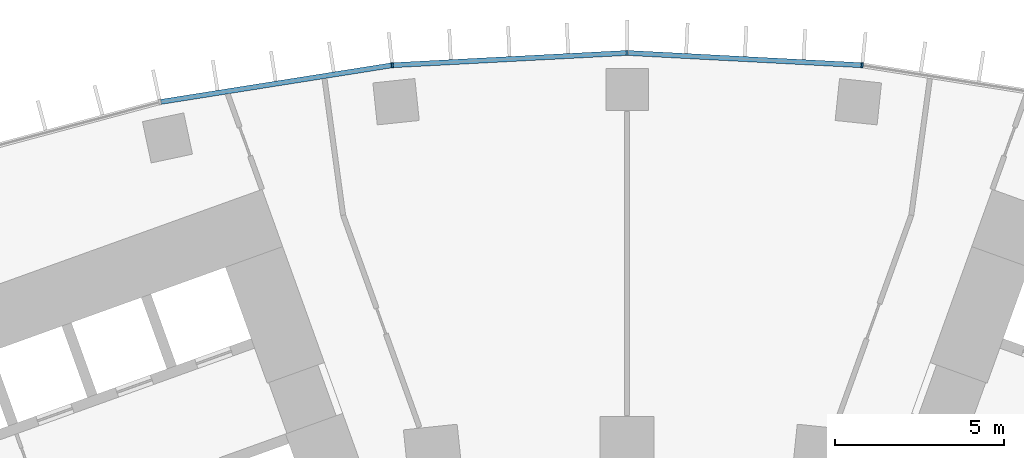
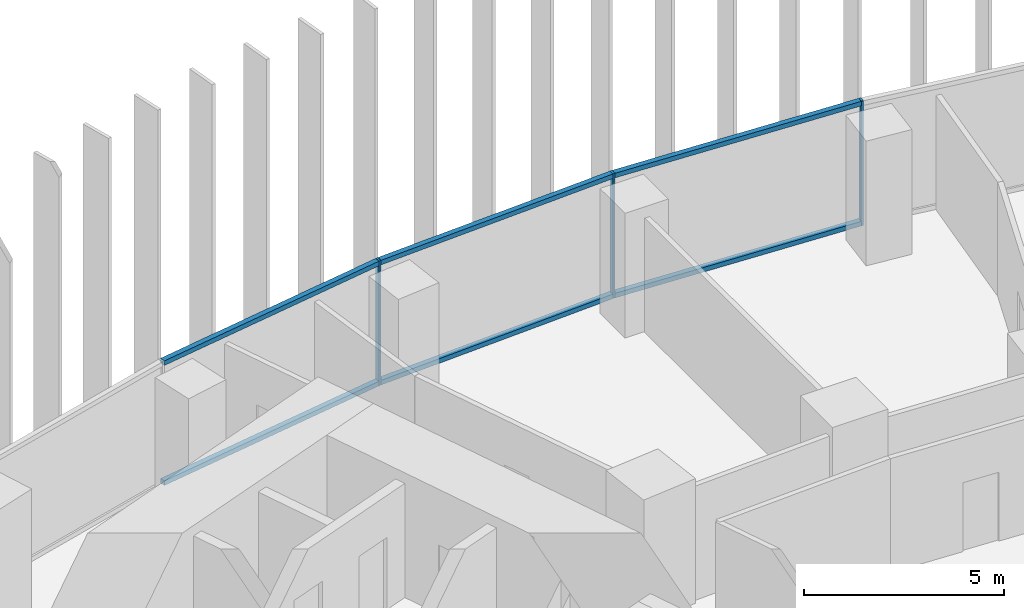
# One storey, part 8 of 25: 9 members, 1 element without a shape of its own.
"""IFC4 building model written with IfcOpenShell, lengths in metres."""

import ifcopenshell
import ifcopenshell.guid

model = None  # the IFC model being written
_history = None  # IfcOwnerHistory: only IFC2X3 demands one
_inside = {}  # id of a spatial element -> (the spatial element, [elements in it])
_under = {}  # id of a project, library or spatial element -> (it, [spatial elements below it])
_declared = {}  # id of a project -> (the project, [libraries it declares])
_typed = {}  # id of a type object -> (the type object, [elements of that type])
_made_of = {}  # id of a material, layer set ... -> (it, [elements and type objects made of it])


def new_model(schema):
    """Start an empty IFC model of exactly this schema.

    Asked for "IFC4X3", IfcOpenShell would pick the latest addendum, in which some entities
    have other attributes; the version numbers below select the first issue.
    IFC2X3 requires an IfcOwnerHistory on every rooted entity: one is made here for all.
    """
    global model, _history
    if schema == "IFC4X3":
        model = ifcopenshell.file(schema_version=(4, 3, 0, 0))
    else:
        model = ifcopenshell.file(schema=schema)
    _inside.clear()
    _under.clear()
    _declared.clear()
    _typed.clear()
    _made_of.clear()
    _history = None
    if model.schema == "IFC2X3":
        org = make("IfcOrganization", Name="unknown")
        user = make(
            "IfcPersonAndOrganization",
            ThePerson=make("IfcPerson", FamilyName="unknown"),
            TheOrganization=org,
        )
        app = make(
            "IfcApplication",
            ApplicationDeveloper=org,
            Version="unknown",
            ApplicationFullName="unknown",
            ApplicationIdentifier="unknown",
        )
        _history = make(
            "IfcOwnerHistory",
            OwningUser=user,
            OwningApplication=app,
            ChangeAction="ADDED",
            CreationDate=0,
        )
    return model


def make(cls, **values):
    """One entity of the class cls with the attributes given. An attribute that is None is left unset."""
    return model.create_entity(
        cls, **{name: value for name, value in values.items() if value is not None}
    )


def rooted(cls, **values):
    """An entity with a GlobalId (a new one), such as an element, a storey or a relation."""
    return make(cls, GlobalId=ifcopenshell.guid.new(), OwnerHistory=_history, **values)


def si_unit(unit_type, name, prefix=None):
    """IfcSIUnit, for example si_unit("LENGTHUNIT", "METRE", prefix="MILLI")."""
    return make("IfcSIUnit", UnitType=unit_type, Prefix=prefix, Name=name)


def assignment(units):
    """IfcUnitAssignment: the units of a project."""
    return None if units is None else make("IfcUnitAssignment", Units=units)


def point(xyz):
    """IfcCartesianPoint."""
    return None if xyz is None else make("IfcCartesianPoint", Coordinates=xyz)


def direction(xyz):
    """IfcDirection."""
    return None if xyz is None else make("IfcDirection", DirectionRatios=xyz)


def frame(location, z_axis=None, x_axis=None):
    """IfcAxis2Placement3D, a coordinate frame: its origin and axes. An axis left out is left unset."""
    return make(
        "IfcAxis2Placement3D",
        Location=point(location),
        Axis=direction(z_axis),
        RefDirection=direction(x_axis),
    )


def frame_2d(location, x_axis=None):
    """IfcAxis2Placement2D, a coordinate frame in the plane: its origin and x axis."""
    return make(
        "IfcAxis2Placement2D", Location=point(location), RefDirection=direction(x_axis)
    )


def origin():
    """The frame at (0, 0, 0) with its axes left unset."""
    return frame((0.0, 0.0, 0.0))


def origin_2d():
    """The frame at (0, 0) in the plane with its x axis left unset."""
    return frame_2d((0.0, 0.0))


def place(relative_to, where):
    """IfcLocalPlacement: puts the frame where relative to a parent placement (None: the world)."""
    return make(
        "IfcLocalPlacement", PlacementRelTo=relative_to, RelativePlacement=where
    )


def context(
    kind, dimensions, precision=None, world=None, true_north=None, identifier=None
):
    """IfcGeometricRepresentationContext, for example the 3D "Model" context."""
    return make(
        "IfcGeometricRepresentationContext",
        ContextIdentifier=identifier,
        ContextType=kind,
        CoordinateSpaceDimension=dimensions,
        Precision=precision,
        WorldCoordinateSystem=world,
        TrueNorth=true_north,
    )


def subcontext(parent, identifier, kind, view, scale=None):
    """IfcGeometricRepresentationSubContext, for example "Body" below "Model"."""
    return make(
        "IfcGeometricRepresentationSubContext",
        ContextIdentifier=identifier,
        ContextType=kind,
        ParentContext=parent,
        TargetScale=scale,
        TargetView=view,
    )


def project(units=None, contexts=None):
    """IfcProject with its units and contexts."""
    return rooted(
        "IfcProject",
        Name="project",
        RepresentationContexts=contexts,
        UnitsInContext=assignment(units),
    )


def spatial(cls, under=None, at=None, **own):
    """A site, building, storey or space (cls), placed at a placement, below another one or the project."""
    s = rooted(cls, ObjectPlacement=at, **own)
    if under is not None:
        _under.setdefault(under.id(), (under, []))[1].append(s)
    return s


def profile(cls, at=None, kind="AREA", **sizes):
    """A parametric profile (cls). Its sizes go by their IFC names, for example OverallWidth=200.0."""
    return make(cls, ProfileType=kind, Position=at, **sizes)


def rectangle(**sizes):
    """IfcRectangleProfileDef."""
    return profile("IfcRectangleProfileDef", **sizes)


def extrude(swept, where, along, depth):
    """IfcExtrudedAreaSolid: the profile swept, set in the frame where, extruded along a direction by depth."""
    return make(
        "IfcExtrudedAreaSolid",
        SweptArea=swept,
        Position=where,
        ExtrudedDirection=direction(along),
        Depth=depth,
    )


def shape(context_of_items, identifier, shape_type, items):
    """IfcShapeRepresentation: the items that make up one representation, for example the "Body"."""
    return make(
        "IfcShapeRepresentation",
        ContextOfItems=context_of_items,
        RepresentationIdentifier=identifier,
        RepresentationType=shape_type,
        Items=items,
    )


def material(Name=None, Category=None):
    """IfcMaterial."""
    return make("IfcMaterial", Name=Name, Category=Category)


def layer(
    of_material, thickness, ventilated=None, Name=None, Category=None, Priority=None
):
    """IfcMaterialLayer: one layer of a wall or slab, of a material (None: an air gap)."""
    return make(
        "IfcMaterialLayer",
        Material=of_material,
        LayerThickness=thickness,
        IsVentilated=ventilated,
        Name=Name,
        Category=Category,
        Priority=Priority,
    )


def layer_set(layers, Name=None):
    """IfcMaterialLayerSet."""
    return make("IfcMaterialLayerSet", MaterialLayers=layers, LayerSetName=Name)


def material_profile(
    of_material, cross_section, Name=None, Category=None, Priority=None
):
    """IfcMaterialProfile: a cross section and its material."""
    return make(
        "IfcMaterialProfile",
        Name=Name,
        Material=of_material,
        Profile=cross_section,
        Priority=Priority,
        Category=Category,
    )


def profile_set(profiles, Name=None, composite=None):
    """IfcMaterialProfileSet."""
    return make(
        "IfcMaterialProfileSet",
        Name=Name,
        MaterialProfiles=profiles,
        CompositeProfile=composite,
    )


def made_of(thing, what):
    """Note that an element or type object is made of a material, layer set ...; save() writes the relation."""
    if what is not None:
        _made_of.setdefault(what.id(), (what, []))[1].append(thing)
    return thing


def type_object(cls, material=None, **own):
    """A type object (cls), such as IfcWallType, which elements share."""
    return made_of(rooted(cls, **own), material)


def element(
    cls,
    number,
    at=None,
    inside=None,
    cuts=None,
    type_object=None,
    material=None,
    context=None,
    identifier="Body",
    shape_type=None,
    held_by="IfcProductDefinitionShape",
    body=None,
    shapes=None,
    **own,
):
    """One element of the class cls, such as IfcWall. Its Tag is "e" and its number.

    at: its placement. inside: the storey or other place that contains it. cuts: it is an
    opening in that element (IfcRelVoidsElement). A single representation is given by context,
    identifier, shape_type and body (its items); several are given by shapes. held_by: the class
    of the entity that holds the representations. save() writes the other relations.
    """
    e = rooted(cls, Tag="e%d" % number, ObjectPlacement=at, **own)
    if body is not None:
        shapes = [shape(context, identifier, shape_type, body)]
    if shapes is not None:
        e.Representation = make(held_by, Representations=shapes)
    if inside is not None:
        _inside.setdefault(inside.id(), (inside, []))[1].append(e)
    if cuts is not None:
        rooted(
            "IfcRelVoidsElement", RelatingBuildingElement=cuts, RelatedOpeningElement=e
        )
    if type_object is not None:
        _typed.setdefault(type_object.id(), (type_object, []))[1].append(e)
    return made_of(e, material)


def aggregate(whole, parts):
    """IfcRelAggregates: a whole, such as a stair, and the parts it consists of."""
    return rooted("IfcRelAggregates", RelatingObject=whole, RelatedObjects=parts)


def save(model, path):
    """Write the relations noted so far, then the file.

    IfcRelAggregates (storeys below a building ...), IfcRelContainedInSpatialStructure (elements
    in a storey), IfcRelDefinesByType, IfcRelAssociatesMaterial and IfcRelDeclares: one each for
    every whole, place, type object, material and project.
    """
    for whole, parts in _under.values():
        aggregate(whole, parts)
    for where, things in _inside.values():
        rooted(
            "IfcRelContainedInSpatialStructure",
            RelatedElements=things,
            RelatingStructure=where,
        )
    for kind, things in _typed.values():
        rooted("IfcRelDefinesByType", RelatedObjects=things, RelatingType=kind)
    for what, things in _made_of.values():
        rooted("IfcRelAssociatesMaterial", RelatedObjects=things, RelatingMaterial=what)
    for by, libraries in _declared.values():
        rooted("IfcRelDeclares", RelatingContext=by, RelatedDefinitions=libraries)
    model.write(path)


model = new_model("IFC4")

# Units and contexts
model_context = context("Model", 3, precision=1e-05, world=origin(), true_north=direction((0.0, 1.0)))
body_context = subcontext(model_context, "Body", "Model", "MODEL_VIEW")
ifc_project = project(units=[si_unit("LENGTHUNIT", "METRE"), si_unit("AREAUNIT", "SQUARE_METRE"), si_unit("VOLUMEUNIT", "CUBIC_METRE"), si_unit("PLANEANGLEUNIT", "RADIAN"), si_unit("MASSUNIT", "GRAM", prefix="KILO")], contexts=[model_context])

# Site, building, storey
site_placement = place(None, origin())
site = spatial("IfcSite", under=ifc_project, at=site_placement, CompositionType="ELEMENT")
building_placement = place(site_placement, origin())
building = spatial("IfcBuilding", under=site, at=building_placement, Name="Stone Belt Terrace Tower", CompositionType="ELEMENT")
storey_placement = place(building_placement, frame((0.0, 0.0, 52.800048828125)))
storey = spatial("IfcBuildingStorey", under=building, at=storey_placement, Name="L12", CompositionType="ELEMENT", Elevation=52.800048828125)

# Curtain wall, members
ifc_material = material(Name="Aluminium 6063-T6 anodised frame", Category="aluminium")
ifc_layer = layer(ifc_material, 0.14990234375)
ifc_layer_set = layer_set([ifc_layer], Name="CW-A unitised convex-face curtain wall")
curtain_wall_type = type_object("IfcCurtainWallType", Name="CW-A unitised convex-face curtain wall", PredefinedType="NOTDEFINED", material=ifc_layer_set)
curtain_wall_placement = place(storey_placement, origin())
curtain_wall = element("IfcCurtainWall", 1, at=curtain_wall_placement, inside=storey, type_object=curtain_wall_type, Name="CW-A convex face L12", PredefinedType="NOTDEFINED")
ifc_material_profile_1 = material_profile(ifc_material, rectangle(XDim=0.14990234375, YDim=0.06005859375, at=origin_2d()), Name="Aluminium 6063-T6 60x150")
ifc_profile_set_1 = profile_set([ifc_material_profile_1], Name="Aluminium 6063-T6 anodised frame")
member_type_1 = type_object("IfcMemberType", Name="CW-A mullion 60 x 150", PredefinedType="MULLION", material=ifc_profile_set_1)
member_1_placement = place(storey_placement, frame((6.958984375, 66.21044921875, 0.0), z_axis=(0.0, 0.0, 1.0), x_axis=(-0.104528463268, -0.994521895368, 0.0)))
member_1 = element("IfcMember", 2, at=member_1_placement, type_object=member_type_1, Name="CW-A mullion 9", PredefinedType="MULLION", context=body_context, shape_type="SweptSolid", body=[
    extrude(rectangle(XDim=0.14990234375, YDim=0.06005859375, at=origin_2d()), origin(), (0.0, 0.0, 1.0), 3.800048828125),
])
member_2_placement = place(storey_placement, frame((0.0, 66.5751953125, 0.0), z_axis=(0.0, 0.0, 1.0), x_axis=(0.0, -1.0, 0.0)))
member_2 = element("IfcMember", 3, at=member_2_placement, type_object=member_type_1, Name="CW-A mullion 10", PredefinedType="MULLION", context=body_context, shape_type="SweptSolid", body=[
    extrude(rectangle(XDim=0.14990234375, YDim=0.06005859375, at=origin_2d()), origin(), (0.0, 0.0, 1.0), 3.800048828125),
])
member_3_placement = place(storey_placement, frame((-6.958984375, 66.21044921875, 0.0), z_axis=(0.0, 0.0, 1.0), x_axis=(0.104528463268, -0.994521895368, 0.0)))
member_3 = element("IfcMember", 4, at=member_3_placement, type_object=member_type_1, Name="CW-A mullion 11", PredefinedType="MULLION", context=body_context, shape_type="SweptSolid", body=[
    extrude(rectangle(XDim=0.14990234375, YDim=0.06005859375, at=origin_2d()), origin(), (0.0, 0.0, 1.0), 3.800048828125),
])
ifc_material_profile_2 = material_profile(ifc_material, rectangle(XDim=0.14990234375, YDim=0.139892578125, at=origin_2d()), Name="Aluminium 6063-T6 150x140")
ifc_profile_set_2 = profile_set([ifc_material_profile_2], Name="Aluminium 6063-T6 anodised frame")
member_type_2 = type_object("IfcMemberType", Name="CW-A transom 140 x 150", PredefinedType="USERDEFINED", material=ifc_profile_set_2)
member_4_placement = place(storey_placement, frame((6.925048828125, 66.212158203125, 0.070068359375), z_axis=(-0.998630019135, 0.052326712899, 0.0), x_axis=(-0.052326712899, -0.998630019135, 0.0)))
member_4 = element("IfcMember", 5, at=member_4_placement, type_object=member_type_2, Name="CW-A transom 9.1", ObjectType="TRANSOM", PredefinedType="USERDEFINED", context=body_context, shape_type="SweptSolid", body=[
    extrude(rectangle(XDim=0.14990234375, YDim=0.139892578125, at=origin_2d()), origin(), (0.0, 0.0, 1.0), 6.900634765625),
])
member_5_placement = place(storey_placement, frame((6.925048828125, 66.212158203125, 3.72998046875), z_axis=(-0.998630019135, 0.052326712899, 0.0), x_axis=(-0.052326712899, -0.998630019135, 0.0)))
member_5 = element("IfcMember", 6, at=member_5_placement, type_object=member_type_2, Name="CW-A transom 9.2", ObjectType="TRANSOM", PredefinedType="USERDEFINED", context=body_context, shape_type="SweptSolid", body=[
    extrude(rectangle(XDim=0.14990234375, YDim=0.139892578125, at=origin_2d()), origin(), (0.0, 0.0, 1.0), 6.900634765625),
])
member_6_placement = place(storey_placement, frame((-0.033935546875, 66.5732421875, 0.070068359375), z_axis=(-0.998630019135, -0.052326712899, 0.0), x_axis=(0.052326712899, -0.998630019135, 0.0)))
member_6 = element("IfcMember", 7, at=member_6_placement, type_object=member_type_2, Name="CW-A transom 10.1", ObjectType="TRANSOM", PredefinedType="USERDEFINED", context=body_context, shape_type="SweptSolid", body=[
    extrude(rectangle(XDim=0.14990234375, YDim=0.139892578125, at=origin_2d()), origin(), (0.0, 0.0, 1.0), 6.900634765625),
])
member_7_placement = place(storey_placement, frame((-0.033935546875, 66.5732421875, 3.72998046875), z_axis=(-0.998630019135, -0.052326712899, 0.0), x_axis=(0.052326712899, -0.998630019135, 0.0)))
member_7 = element("IfcMember", 8, at=member_7_placement, type_object=member_type_2, Name="CW-A transom 10.2", ObjectType="TRANSOM", PredefinedType="USERDEFINED", context=body_context, shape_type="SweptSolid", body=[
    extrude(rectangle(XDim=0.14990234375, YDim=0.139892578125, at=origin_2d()), origin(), (0.0, 0.0, 1.0), 6.900634765625),
])
member_8_placement = place(storey_placement, frame((-6.992431640625, 66.205078125, 0.070068359375), z_axis=(-0.987687120531, -0.156442168027, 0.0), x_axis=(0.156442168027, -0.987687120531, 0.0)))
member_8 = element("IfcMember", 9, at=member_8_placement, type_object=member_type_2, Name="CW-A transom 11.1", ObjectType="TRANSOM", PredefinedType="USERDEFINED", context=body_context, shape_type="SweptSolid", body=[
    extrude(rectangle(XDim=0.14990234375, YDim=0.139892578125, at=origin_2d()), origin(), (0.0, 0.0, 1.0), 6.90087890625),
])
member_9_placement = place(storey_placement, frame((-6.992431640625, 66.205078125, 3.72998046875), z_axis=(-0.987687120531, -0.156442168027, 0.0), x_axis=(0.156442168027, -0.987687120531, 0.0)))
member_9 = element("IfcMember", 10, at=member_9_placement, type_object=member_type_2, Name="CW-A transom 11.2", ObjectType="TRANSOM", PredefinedType="USERDEFINED", context=body_context, shape_type="SweptSolid", body=[
    extrude(rectangle(XDim=0.14990234375, YDim=0.139892578125, at=origin_2d()), origin(), (0.0, 0.0, 1.0), 6.90087890625),
])
aggregate(curtain_wall, [member_1, member_2, member_3, member_4, member_5, member_6, member_7, member_8, member_9])

save(model, "model.ifc")
